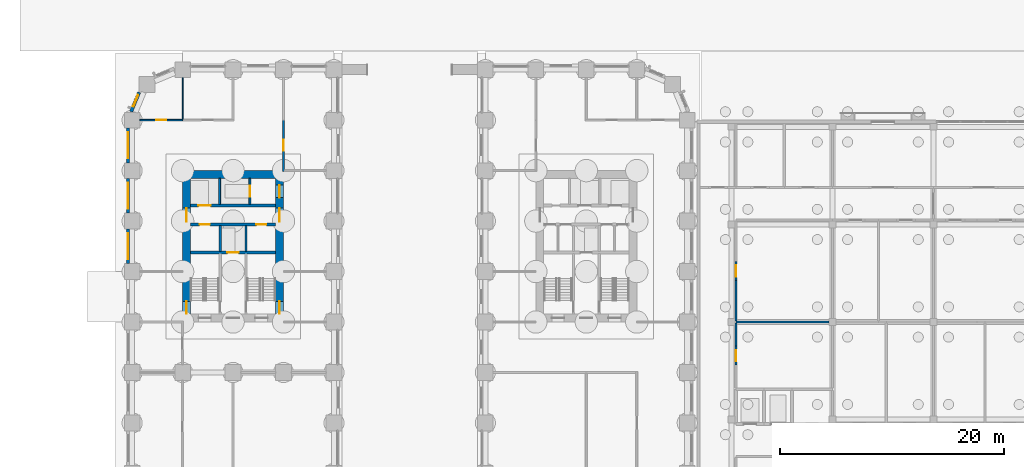
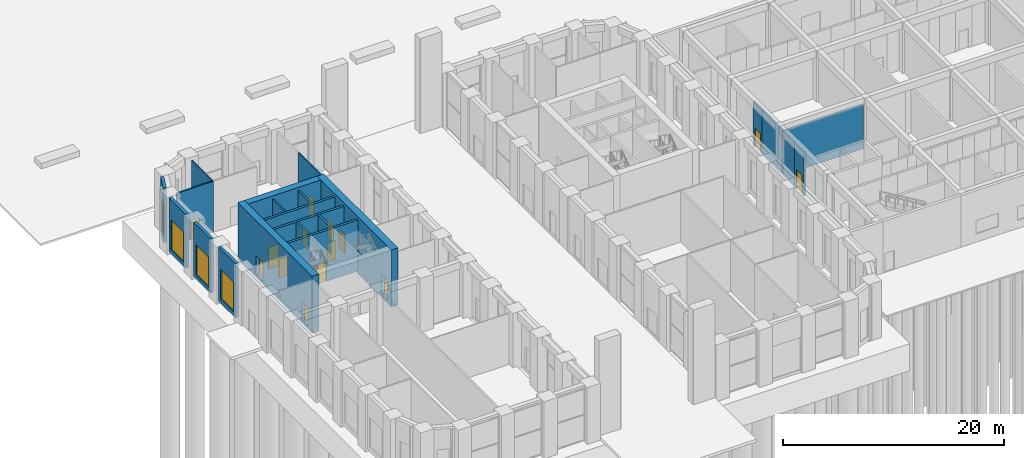
# One storey, part 17 of 31: 22 walls, 14 doors, 4 windows, 18 openings.
"""IFC4 building model written with IfcOpenShell, lengths in metres."""

import ifcopenshell
import ifcopenshell.guid

model = None  # the IFC model being written
_history = None  # IfcOwnerHistory: only IFC2X3 demands one
_inside = {}  # id of a spatial element -> (the spatial element, [elements in it])
_under = {}  # id of a project, library or spatial element -> (it, [spatial elements below it])
_declared = {}  # id of a project -> (the project, [libraries it declares])
_typed = {}  # id of a type object -> (the type object, [elements of that type])
_made_of = {}  # id of a material, layer set ... -> (it, [elements and type objects made of it])


def new_model(schema):
    """Start an empty IFC model of exactly this schema.

    Asked for "IFC4X3", IfcOpenShell would pick the latest addendum, in which some entities
    have other attributes; the version numbers below select the first issue.
    IFC2X3 requires an IfcOwnerHistory on every rooted entity: one is made here for all.
    """
    global model, _history
    if schema == "IFC4X3":
        model = ifcopenshell.file(schema_version=(4, 3, 0, 0))
    else:
        model = ifcopenshell.file(schema=schema)
    _inside.clear()
    _under.clear()
    _declared.clear()
    _typed.clear()
    _made_of.clear()
    _history = None
    if model.schema == "IFC2X3":
        org = make("IfcOrganization", Name="unknown")
        user = make(
            "IfcPersonAndOrganization",
            ThePerson=make("IfcPerson", FamilyName="unknown"),
            TheOrganization=org,
        )
        app = make(
            "IfcApplication",
            ApplicationDeveloper=org,
            Version="unknown",
            ApplicationFullName="unknown",
            ApplicationIdentifier="unknown",
        )
        _history = make(
            "IfcOwnerHistory",
            OwningUser=user,
            OwningApplication=app,
            ChangeAction="ADDED",
            CreationDate=0,
        )
    return model


def make(cls, **values):
    """One entity of the class cls with the attributes given. An attribute that is None is left unset."""
    return model.create_entity(
        cls, **{name: value for name, value in values.items() if value is not None}
    )


def rooted(cls, **values):
    """An entity with a GlobalId (a new one), such as an element, a storey or a relation."""
    return make(cls, GlobalId=ifcopenshell.guid.new(), OwnerHistory=_history, **values)


def si_unit(unit_type, name, prefix=None):
    """IfcSIUnit, for example si_unit("LENGTHUNIT", "METRE", prefix="MILLI")."""
    return make("IfcSIUnit", UnitType=unit_type, Prefix=prefix, Name=name)


def assignment(units):
    """IfcUnitAssignment: the units of a project."""
    return None if units is None else make("IfcUnitAssignment", Units=units)


def point(xyz):
    """IfcCartesianPoint."""
    return None if xyz is None else make("IfcCartesianPoint", Coordinates=xyz)


def direction(xyz):
    """IfcDirection."""
    return None if xyz is None else make("IfcDirection", DirectionRatios=xyz)


def frame(location, z_axis=None, x_axis=None):
    """IfcAxis2Placement3D, a coordinate frame: its origin and axes. An axis left out is left unset."""
    return make(
        "IfcAxis2Placement3D",
        Location=point(location),
        Axis=direction(z_axis),
        RefDirection=direction(x_axis),
    )


def frame_2d(location, x_axis=None):
    """IfcAxis2Placement2D, a coordinate frame in the plane: its origin and x axis."""
    return make(
        "IfcAxis2Placement2D", Location=point(location), RefDirection=direction(x_axis)
    )


def origin():
    """The frame at (0, 0, 0) with its axes left unset."""
    return frame((0.0, 0.0, 0.0))


def place(relative_to, where):
    """IfcLocalPlacement: puts the frame where relative to a parent placement (None: the world)."""
    return make(
        "IfcLocalPlacement", PlacementRelTo=relative_to, RelativePlacement=where
    )


def context(
    kind, dimensions, precision=None, world=None, true_north=None, identifier=None
):
    """IfcGeometricRepresentationContext, for example the 3D "Model" context."""
    return make(
        "IfcGeometricRepresentationContext",
        ContextIdentifier=identifier,
        ContextType=kind,
        CoordinateSpaceDimension=dimensions,
        Precision=precision,
        WorldCoordinateSystem=world,
        TrueNorth=true_north,
    )


def subcontext(parent, identifier, kind, view, scale=None):
    """IfcGeometricRepresentationSubContext, for example "Body" below "Model"."""
    return make(
        "IfcGeometricRepresentationSubContext",
        ContextIdentifier=identifier,
        ContextType=kind,
        ParentContext=parent,
        TargetScale=scale,
        TargetView=view,
    )


def project(units=None, contexts=None):
    """IfcProject with its units and contexts."""
    return rooted(
        "IfcProject",
        Name="project",
        RepresentationContexts=contexts,
        UnitsInContext=assignment(units),
    )


def spatial(cls, under=None, at=None, **own):
    """A site, building, storey or space (cls), placed at a placement, below another one or the project."""
    s = rooted(cls, ObjectPlacement=at, **own)
    if under is not None:
        _under.setdefault(under.id(), (under, []))[1].append(s)
    return s


def profile(cls, at=None, kind="AREA", **sizes):
    """A parametric profile (cls). Its sizes go by their IFC names, for example OverallWidth=200.0."""
    return make(cls, ProfileType=kind, Position=at, **sizes)


def rectangle(**sizes):
    """IfcRectangleProfileDef."""
    return profile("IfcRectangleProfileDef", **sizes)


def extrude(swept, where, along, depth):
    """IfcExtrudedAreaSolid: the profile swept, set in the frame where, extruded along a direction by depth."""
    return make(
        "IfcExtrudedAreaSolid",
        SweptArea=swept,
        Position=where,
        ExtrudedDirection=direction(along),
        Depth=depth,
    )


def shape(context_of_items, identifier, shape_type, items):
    """IfcShapeRepresentation: the items that make up one representation, for example the "Body"."""
    return make(
        "IfcShapeRepresentation",
        ContextOfItems=context_of_items,
        RepresentationIdentifier=identifier,
        RepresentationType=shape_type,
        Items=items,
    )


def material(Name=None, Category=None):
    """IfcMaterial."""
    return make("IfcMaterial", Name=Name, Category=Category)


def layer(
    of_material, thickness, ventilated=None, Name=None, Category=None, Priority=None
):
    """IfcMaterialLayer: one layer of a wall or slab, of a material (None: an air gap)."""
    return make(
        "IfcMaterialLayer",
        Material=of_material,
        LayerThickness=thickness,
        IsVentilated=ventilated,
        Name=Name,
        Category=Category,
        Priority=Priority,
    )


def layer_set(layers, Name=None):
    """IfcMaterialLayerSet."""
    return make("IfcMaterialLayerSet", MaterialLayers=layers, LayerSetName=Name)


def made_of(thing, what):
    """Note that an element or type object is made of a material, layer set ...; save() writes the relation."""
    if what is not None:
        _made_of.setdefault(what.id(), (what, []))[1].append(thing)
    return thing


def type_object(cls, material=None, **own):
    """A type object (cls), such as IfcWallType, which elements share."""
    return made_of(rooted(cls, **own), material)


def element(
    cls,
    number,
    at=None,
    inside=None,
    cuts=None,
    type_object=None,
    material=None,
    context=None,
    identifier="Body",
    shape_type=None,
    held_by="IfcProductDefinitionShape",
    body=None,
    shapes=None,
    **own,
):
    """One element of the class cls, such as IfcWall. Its Tag is "e" and its number.

    at: its placement. inside: the storey or other place that contains it. cuts: it is an
    opening in that element (IfcRelVoidsElement). A single representation is given by context,
    identifier, shape_type and body (its items); several are given by shapes. held_by: the class
    of the entity that holds the representations. save() writes the other relations.
    """
    e = rooted(cls, Tag="e%d" % number, ObjectPlacement=at, **own)
    if body is not None:
        shapes = [shape(context, identifier, shape_type, body)]
    if shapes is not None:
        e.Representation = make(held_by, Representations=shapes)
    if inside is not None:
        _inside.setdefault(inside.id(), (inside, []))[1].append(e)
    if cuts is not None:
        rooted(
            "IfcRelVoidsElement", RelatingBuildingElement=cuts, RelatedOpeningElement=e
        )
    if type_object is not None:
        _typed.setdefault(type_object.id(), (type_object, []))[1].append(e)
    return made_of(e, material)


def fill(opening, filler):
    """IfcRelFillsElement: the door or window that sits in an opening."""
    return rooted(
        "IfcRelFillsElement",
        RelatingOpeningElement=opening,
        RelatedBuildingElement=filler,
    )


def aggregate(whole, parts):
    """IfcRelAggregates: a whole, such as a stair, and the parts it consists of."""
    return rooted("IfcRelAggregates", RelatingObject=whole, RelatedObjects=parts)


def save(model, path):
    """Write the relations noted so far, then the file.

    IfcRelAggregates (storeys below a building ...), IfcRelContainedInSpatialStructure (elements
    in a storey), IfcRelDefinesByType, IfcRelAssociatesMaterial and IfcRelDeclares: one each for
    every whole, place, type object, material and project.
    """
    for whole, parts in _under.values():
        aggregate(whole, parts)
    for where, things in _inside.values():
        rooted(
            "IfcRelContainedInSpatialStructure",
            RelatedElements=things,
            RelatingStructure=where,
        )
    for kind, things in _typed.values():
        rooted("IfcRelDefinesByType", RelatedObjects=things, RelatingType=kind)
    for what, things in _made_of.values():
        rooted("IfcRelAssociatesMaterial", RelatedObjects=things, RelatingMaterial=what)
    for by, libraries in _declared.values():
        rooted("IfcRelDeclares", RelatingContext=by, RelatedDefinitions=libraries)
    model.write(path)


model = new_model("IFC4")

# Units and contexts
model_context = context("Model", 3, precision=1e-05, world=origin(), true_north=direction((0.0, 1.0)))
body_context = subcontext(model_context, "Body", "Model", "MODEL_VIEW")
ifc_project = project(units=[si_unit("LENGTHUNIT", "METRE"), si_unit("AREAUNIT", "SQUARE_METRE"), si_unit("VOLUMEUNIT", "CUBIC_METRE"), si_unit("PLANEANGLEUNIT", "RADIAN"), si_unit("MASSUNIT", "GRAM", prefix="KILO")], contexts=[model_context])

# Site, building, storey
site_placement = place(None, origin())
site = spatial("IfcSite", under=ifc_project, at=site_placement, CompositionType="ELEMENT")
building_placement = place(site_placement, origin())
building = spatial("IfcBuilding", under=site, at=building_placement, Name="Girih Gate Residences", CompositionType="ELEMENT")
storey_placement = place(building_placement, origin())
storey = spatial("IfcBuildingStorey", under=building, at=storey_placement, Name="L00", CompositionType="ELEMENT", Elevation=0.0)

# Wall, opening, door
ifc_material_1 = material(Name="Gypsum board on steel studs", Category="steel")
ifc_layer_1 = layer(ifc_material_1, 0.14990234375)
ifc_layer_set_1 = layer_set([ifc_layer_1], Name="Compartment wall 150 mm")
wall_type_1 = type_object("IfcWallType", Name="Compartment wall 150 mm", PredefinedType="PARTITIONING", material=ifc_layer_set_1)
wall_1_placement = place(storey_placement, frame((13.5, 45.0, 0.0), z_axis=(0.0, 0.0, 1.0), x_axis=(0.0, -1.0, 0.0)))
wall_1 = element("IfcWall", 1, at=wall_1_placement, inside=storey, type_object=wall_type_1, Name="L00 partition", PredefinedType="PARTITIONING", context=body_context, shape_type="SweptSolid", body=[
    extrude(rectangle(XDim=4.574951171875, YDim=0.14990234375, at=frame_2d((2.28759765625, 0.0))), origin(), (0.0, 0.0, 1.0), 5.64990234375),
])
opening_1_placement = place(wall_1_placement, frame((1.75, 0.0, 0.0)))
opening_1 = element("IfcOpeningElement", 2, at=opening_1_placement, cuts=wall_1, Name="Opening D-L00-S-008", PredefinedType="OPENING", context=body_context, shape_type="SweptSolid", body=[
    extrude(rectangle(XDim=1.0, YDim=2.10009765625, at=frame_2d((0.5, 1.050048828125))), frame((0.0, 0.0849609375, 0.0), z_axis=(0.0, -1.0, 0.0), x_axis=(1.0, 0.0, 0.0)), (0.0, 0.0, 1.0), 0.169921875),
])
ifc_material_2 = material(Name="Timber, fire-rated core", Category="wood")
door_type_1 = type_object("IfcDoorType", Name="Amenity door 1000x2100 FD30S", OperationType="SINGLE_SWING_LEFT", PredefinedType="DOOR", material=ifc_material_2)
door_1_placement = place(opening_1_placement, origin())
door_1 = element("IfcDoor", 3, at=door_1_placement, inside=storey, type_object=door_type_1, Name="Door L00-008", OperationType="SINGLE_SWING_LEFT", OverallHeight=2.10009765625, OverallWidth=1.0, PredefinedType="DOOR", context=body_context, shape_type="SweptSolid", body=[
    extrude(rectangle(XDim=1.0, YDim=2.10009765625, at=frame_2d((0.5, 1.050048828125))), frame((0.0, 0.02490234375, 0.0), z_axis=(0.0, -1.0, 0.0), x_axis=(1.0, 0.0, 0.0)), (0.0, 0.0, 1.0), 0.050048828125),
])
fill(opening_1, door_1)

wall_2_placement = place(storey_placement, frame((0.699951171875, 45.0, 0.0), z_axis=(0.0, 0.0, 1.0), x_axis=(1.0, 0.0, 0.0)))
wall_2 = element("IfcWall", 4, at=wall_2_placement, inside=storey, type_object=wall_type_1, Name="L00 partition", PredefinedType="PARTITIONING", context=body_context, shape_type="SweptSolid", body=[
    extrude(rectangle(XDim=3.800048828125, YDim=0.14990234375, at=frame_2d((1.89990234375, 0.0))), origin(), (0.0, 0.0, 1.0), 5.64990234375),
])
opening_2_placement = place(wall_2_placement, frame((1.449951171875, 0.0, 0.0)))
opening_2 = element("IfcOpeningElement", 5, at=opening_2_placement, cuts=wall_2, Name="Opening D-L00-S-010", PredefinedType="OPENING", context=body_context, shape_type="SweptSolid", body=[
    extrude(rectangle(XDim=0.89990234375, YDim=2.10009765625, at=frame_2d((0.449951171875, 1.050048828125))), frame((0.0, 0.0849609375, 0.0), z_axis=(0.0, -1.0, 0.0), x_axis=(1.0, 0.0, 0.0)), (0.0, 0.0, 1.0), 0.169921875),
])
ifc_material_3 = material(Name="Timber", Category="wood")
door_type_2 = type_object("IfcDoorType", Name="Room door 900x2100", OperationType="SINGLE_SWING_LEFT", PredefinedType="DOOR", material=ifc_material_3)
door_2_placement = place(opening_2_placement, origin())
door_2 = element("IfcDoor", 6, at=door_2_placement, inside=storey, type_object=door_type_2, Name="Door L00-010", OperationType="SINGLE_SWING_RIGHT", OverallHeight=2.10009765625, OverallWidth=0.89990234375, PredefinedType="DOOR", context=body_context, shape_type="SweptSolid", body=[
    extrude(rectangle(XDim=0.89990234375, YDim=2.10009765625, at=frame_2d((0.449951171875, 1.050048828125))), frame((0.0, 0.02490234375, 0.0), z_axis=(0.0, -1.0, 0.0), x_axis=(1.0, 0.0, 0.0)), (0.0, 0.0, 1.0), 0.050048828125),
])
fill(opening_2, door_2)

# Wall
ifc_material_4 = material(Name="Concrete C60/75", Category="concrete")
ifc_layer_2 = layer(ifc_material_4, 0.699951171875)
ifc_layer_set_2 = layer_set([ifc_layer_2], Name="Core wall RC 700 Concrete C60/75")
wall_type_2 = type_object("IfcWallType", Name="Core wall RC 700 Concrete C60/75", PredefinedType="SOLIDWALL", material=ifc_layer_set_2)
wall_3_placement = place(storey_placement, frame((5.199951171875, 40.14990234375, -0.300048828125), z_axis=(0.0, 0.0, 1.0), x_axis=(1.0, 0.0, 0.0)))
element("IfcWall", 7, at=wall_3_placement, inside=storey, type_object=wall_type_2, Name="Core wall W-N L00", PredefinedType="SOLIDWALL", context=body_context, shape_type="SweptSolid", body=[
    extrude(rectangle(XDim=7.60009765625, YDim=0.699951171875, at=frame_2d((3.800048828125, 0.0))), origin(), (0.0, 0.0, 1.0), 6.300048828125),
])

# Wall, openings, doors
wall_4_placement = place(storey_placement, frame((4.85009765625, 27.0, -0.300048828125), z_axis=(0.0, 0.0, 1.0), x_axis=(0.0, 1.0, 0.0)))
wall_4 = element("IfcWall", 8, at=wall_4_placement, inside=storey, type_object=wall_type_2, Name="Core wall W-W L00", PredefinedType="SOLIDWALL", context=body_context, shape_type="SweptSolid", body=[
    extrude(rectangle(XDim=13.5, YDim=0.699951171875, at=frame_2d((6.75, 0.0))), origin(), (0.0, 0.0, 1.0), 6.300048828125),
])
opening_3_placement = place(wall_4_placement, frame((0.75, 0.0, 0.300048828125)))
opening_3 = element("IfcOpeningElement", 9, at=opening_3_placement, cuts=wall_4, Name="Opening D-L00-W-011", PredefinedType="OPENING", context=body_context, shape_type="SweptSolid", body=[
    extrude(rectangle(XDim=1.10009765625, YDim=2.10009765625, at=frame_2d((0.550048828125, 1.050048828125))), frame((0.0, 0.35986328125, 0.0), z_axis=(0.0, -1.0, 0.0), x_axis=(1.0, 0.0, 0.0)), (0.0, 0.0, 1.0), 0.719970703125),
])
opening_4_placement = place(wall_4_placement, frame((8.949951171875, 0.0, 0.300048828125)))
opening_4 = element("IfcOpeningElement", 10, at=opening_4_placement, cuts=wall_4, Name="Opening D-L00-W-014", PredefinedType="OPENING", context=body_context, shape_type="SweptSolid", body=[
    extrude(rectangle(XDim=1.199951171875, YDim=2.10009765625, at=frame_2d((0.60009765625, 1.050048828125))), frame((0.0, 0.35986328125, 0.0), z_axis=(0.0, -1.0, 0.0), x_axis=(1.0, 0.0, 0.0)), (0.0, 0.0, 1.0), 0.719970703125),
])
ifc_material_5 = material(Name="Painted steel, fire-resisting", Category="steel")
door_type_3 = type_object("IfcDoorType", Name="Fire door 1100x2100 raised threshold", OperationType="SINGLE_SWING_LEFT", PredefinedType="DOOR", material=ifc_material_5)
door_3_placement = place(opening_3_placement, origin())
door_3 = element("IfcDoor", 11, at=door_3_placement, inside=storey, type_object=door_type_3, Name="L00 W core door sta-w", OperationType="SINGLE_SWING_LEFT", OverallHeight=2.10009765625, OverallWidth=1.10009765625, PredefinedType="DOOR", context=body_context, shape_type="SweptSolid", body=[
    extrude(rectangle(XDim=1.10009765625, YDim=2.10009765625, at=frame_2d((0.550048828125, 1.050048828125))), frame((0.0, 0.02490234375, 0.0), z_axis=(0.0, -1.0, 0.0), x_axis=(1.0, 0.0, 0.0)), (0.0, 0.0, 1.0), 0.050048828125),
])
fill(opening_3, door_3)
door_type_4 = type_object("IfcDoorType", Name="Fire door 1200x2100 raised threshold", OperationType="SINGLE_SWING_LEFT", PredefinedType="DOOR", material=ifc_material_5)
door_4_placement = place(opening_4_placement, origin())
door_4 = element("IfcDoor", 12, at=door_4_placement, inside=storey, type_object=door_type_4, Name="L00 W core door ll-w", OperationType="SINGLE_SWING_LEFT", OverallHeight=2.10009765625, OverallWidth=1.199951171875, PredefinedType="DOOR", context=body_context, shape_type="SweptSolid", body=[
    extrude(rectangle(XDim=1.199951171875, YDim=2.10009765625, at=frame_2d((0.60009765625, 1.050048828125))), frame((0.0, 0.02490234375, 0.0), z_axis=(0.0, -1.0, 0.0), x_axis=(1.0, 0.0, 0.0)), (0.0, 0.0, 1.0), 0.050048828125),
])
fill(opening_4, door_4)

wall_5_placement = place(storey_placement, frame((13.14990234375, 27.0, -0.300048828125), z_axis=(0.0, 0.0, 1.0), x_axis=(0.0, 1.0, 0.0)))
wall_5 = element("IfcWall", 13, at=wall_5_placement, inside=storey, type_object=wall_type_2, Name="Core wall W-E L00", PredefinedType="SOLIDWALL", context=body_context, shape_type="SweptSolid", body=[
    extrude(rectangle(XDim=13.5, YDim=0.699951171875, at=frame_2d((6.75, 0.0))), origin(), (0.0, 0.0, 1.0), 6.300048828125),
])
opening_5_placement = place(wall_5_placement, frame((0.75, 0.0, 0.300048828125)))
opening_5 = element("IfcOpeningElement", 14, at=opening_5_placement, cuts=wall_5, Name="Opening D-L00-W-012", PredefinedType="OPENING", context=body_context, shape_type="SweptSolid", body=[
    extrude(rectangle(XDim=1.10009765625, YDim=2.10009765625, at=frame_2d((0.550048828125, 1.050048828125))), frame((0.0, 0.35986328125, 0.0), z_axis=(0.0, -1.0, 0.0), x_axis=(1.0, 0.0, 0.0)), (0.0, 0.0, 1.0), 0.719970703125),
])
opening_6_placement = place(wall_5_placement, frame((11.10009765625, 0.0, 0.300048828125)))
opening_6 = element("IfcOpeningElement", 15, at=opening_6_placement, cuts=wall_5, Name="Opening D-L00-W-013", PredefinedType="OPENING", context=body_context, shape_type="SweptSolid", body=[
    extrude(rectangle(XDim=1.10009765625, YDim=2.10009765625, at=frame_2d((0.550048828125, 1.050048828125))), frame((0.0, 0.35986328125, 0.0), z_axis=(0.0, -1.0, 0.0), x_axis=(1.0, 0.0, 0.0)), (0.0, 0.0, 1.0), 0.719970703125),
])
opening_7_placement = place(wall_5_placement, frame((8.949951171875, 0.0, 0.300048828125)))
opening_7 = element("IfcOpeningElement", 16, at=opening_7_placement, cuts=wall_5, Name="Opening D-L00-W-015", PredefinedType="OPENING", context=body_context, shape_type="SweptSolid", body=[
    extrude(rectangle(XDim=1.199951171875, YDim=2.10009765625, at=frame_2d((0.60009765625, 1.050048828125))), frame((0.0, 0.35986328125, 0.0), z_axis=(0.0, -1.0, 0.0), x_axis=(1.0, 0.0, 0.0)), (0.0, 0.0, 1.0), 0.719970703125),
])
door_5_placement = place(opening_5_placement, origin())
door_5 = element("IfcDoor", 17, at=door_5_placement, inside=storey, type_object=door_type_3, Name="L00 W core door stb-e", OperationType="SINGLE_SWING_LEFT", OverallHeight=2.10009765625, OverallWidth=1.10009765625, PredefinedType="DOOR", context=body_context, shape_type="SweptSolid", body=[
    extrude(rectangle(XDim=1.10009765625, YDim=2.10009765625, at=frame_2d((0.550048828125, 1.050048828125))), frame((0.0, 0.02490234375, 0.0), z_axis=(0.0, -1.0, 0.0), x_axis=(1.0, 0.0, 0.0)), (0.0, 0.0, 1.0), 0.050048828125),
])
fill(opening_5, door_5)
door_6_placement = place(opening_6_placement, origin())
door_6 = element("IfcDoor", 18, at=door_6_placement, inside=storey, type_object=door_type_3, Name="L00 W core door ffl2-e", OperationType="SINGLE_SWING_LEFT", OverallHeight=2.10009765625, OverallWidth=1.10009765625, PredefinedType="DOOR", context=body_context, shape_type="SweptSolid", body=[
    extrude(rectangle(XDim=1.10009765625, YDim=2.10009765625, at=frame_2d((0.550048828125, 1.050048828125))), frame((0.0, 0.02490234375, 0.0), z_axis=(0.0, -1.0, 0.0), x_axis=(1.0, 0.0, 0.0)), (0.0, 0.0, 1.0), 0.050048828125),
])
fill(opening_6, door_6)
door_7_placement = place(opening_7_placement, origin())
door_7 = element("IfcDoor", 19, at=door_7_placement, inside=storey, type_object=door_type_4, Name="L00 W core door ll-e", OperationType="SINGLE_SWING_LEFT", OverallHeight=2.10009765625, OverallWidth=1.199951171875, PredefinedType="DOOR", context=body_context, shape_type="SweptSolid", body=[
    extrude(rectangle(XDim=1.199951171875, YDim=2.10009765625, at=frame_2d((0.60009765625, 1.050048828125))), frame((0.0, 0.02490234375, 0.0), z_axis=(0.0, -1.0, 0.0), x_axis=(1.0, 0.0, 0.0)), (0.0, 0.0, 1.0), 0.050048828125),
])
fill(opening_7, door_7)

# Wall, opening, door
ifc_material_6 = material(Name="Fire-rated gypsum partition")
ifc_layer_3 = layer(ifc_material_6, 0.199951171875)
ifc_layer_set_3 = layer_set([ifc_layer_3], Name="HC Corridor wall 200 EI 60")
wall_type_3 = type_object("IfcWallType", Name="HC Corridor wall 200 EI 60", PredefinedType="PARTITIONING", material=ifc_layer_set_3)
wall_6_placement = place(storey_placement, frame((53.85009765625, 24.85009765625, 0.0), z_axis=(0.0, 0.0, 1.0), x_axis=(0.0, -1.0, 0.0)))
wall_6 = element("IfcWall", 20, at=wall_6_placement, inside=storey, type_object=wall_type_3, Name="L00 wall y53.85/23.1", PredefinedType="PARTITIONING", context=body_context, shape_type="SweptSolid", body=[
    extrude(rectangle(XDim=1.7001953125, YDim=0.199951171875, at=frame_2d((0.85009765625, 0.0))), origin(), (0.0, 0.0, 1.0), 4.89990234375),
])
opening_8_placement = place(wall_6_placement, frame((0.35009765625, 0.0, 0.0)))
opening_8 = element("IfcOpeningElement", 21, at=opening_8_placement, cuts=wall_6, Name="Opening HC-L00-D17", PredefinedType="OPENING", context=body_context, shape_type="SweptSolid", body=[
    extrude(rectangle(XDim=1.0, YDim=2.10009765625, at=frame_2d((0.5, 1.050048828125))), frame((0.0, 0.10986328125, 0.0), z_axis=(0.0, -1.0, 0.0), x_axis=(1.0, 0.0, 0.0)), (0.0, 0.0, 1.0), 0.219970703125),
])
ifc_material_7 = material(Name="Timber door set", Category="wood")
door_type_5 = type_object("IfcDoorType", Name="HC Door 1000x2100 FD30S", OperationType="NOTDEFINED", PredefinedType="DOOR", material=ifc_material_7)
door_8_placement = place(opening_8_placement, origin())
door_8 = element("IfcDoor", 22, at=door_8_placement, inside=storey, type_object=door_type_5, Name="L00 Pharmacy dispensary door", OperationType="SINGLE_SWING_RIGHT", OverallHeight=2.10009765625, OverallWidth=1.0, PredefinedType="DOOR", context=body_context, shape_type="SweptSolid", body=[
    extrude(rectangle(XDim=1.0, YDim=2.10009765625, at=frame_2d((0.5, 1.050048828125))), frame((0.0, 0.02490234375, 0.0), z_axis=(0.0, -1.0, 0.0), x_axis=(1.0, 0.0, 0.0)), (0.0, 0.0, 1.0), 0.050048828125),
])
fill(opening_8, door_8)

# Walls
wall_7_placement = place(storey_placement, frame((53.85009765625, 24.85009765625, 0.0), z_axis=(0.0, 0.0, 1.0), x_axis=(0.0, 1.0, 0.0)))
element("IfcWall", 23, at=wall_7_placement, inside=storey, type_object=wall_type_3, Name="L00 wall y53.85/24.9", PredefinedType="PARTITIONING", context=body_context, shape_type="SweptSolid", body=[
    extrude(rectangle(XDim=2.0498046875, YDim=0.199951171875, at=frame_2d((1.02490234375, 0.0))), origin(), (0.0, 0.0, 1.0), 4.89990234375),
])
wall_8_placement = place(storey_placement, frame((53.85009765625, 27.10009765625, 0.0), z_axis=(0.0, 0.0, 1.0), x_axis=(0.0, 1.0, 0.0)))
element("IfcWall", 24, at=wall_8_placement, inside=storey, type_object=wall_type_3, Name="L00 wall y53.85/27.1", PredefinedType="PARTITIONING", context=body_context, shape_type="SweptSolid", body=[
    extrude(rectangle(XDim=3.599853515625, YDim=0.199951171875, at=frame_2d((1.7998046875, 0.0))), origin(), (0.0, 0.0, 1.0), 4.89990234375),
])

# Wall, opening, door
wall_9_placement = place(storey_placement, frame((53.85009765625, 32.39990234375, 0.0), z_axis=(0.0, 0.0, 1.0), x_axis=(0.0, -1.0, 0.0)))
wall_9 = element("IfcWall", 25, at=wall_9_placement, inside=storey, type_object=wall_type_3, Name="L00 wall y53.85/30.7", PredefinedType="PARTITIONING", context=body_context, shape_type="SweptSolid", body=[
    extrude(rectangle(XDim=1.699951171875, YDim=0.199951171875, at=frame_2d((0.85009765625, 0.0))), origin(), (0.0, 0.0, 1.0), 4.89990234375),
])
opening_9_placement = place(wall_9_placement, frame((0.35009765625, 0.0, 0.0)))
opening_9 = element("IfcOpeningElement", 26, at=opening_9_placement, cuts=wall_9, Name="Opening HC-L00-D23", PredefinedType="OPENING", context=body_context, shape_type="SweptSolid", body=[
    extrude(rectangle(XDim=1.0, YDim=2.10009765625, at=frame_2d((0.5, 1.050048828125))), frame((0.0, 0.10986328125, 0.0), z_axis=(0.0, -1.0, 0.0), x_axis=(1.0, 0.0, 0.0)), (0.0, 0.0, 1.0), 0.219970703125),
])
door_9_placement = place(opening_9_placement, origin())
door_9 = element("IfcDoor", 27, at=door_9_placement, inside=storey, type_object=door_type_5, Name="L00 Pharmacy stock room door", OperationType="SINGLE_SWING_RIGHT", OverallHeight=2.10009765625, OverallWidth=1.0, PredefinedType="DOOR", context=body_context, shape_type="SweptSolid", body=[
    extrude(rectangle(XDim=1.0, YDim=2.10009765625, at=frame_2d((0.5, 1.050048828125))), frame((0.0, 0.02490234375, 0.0), z_axis=(0.0, -1.0, 0.0), x_axis=(1.0, 0.0, 0.0)), (0.0, 0.0, 1.0), 0.050048828125),
])
fill(opening_9, door_9)

# Wall
ifc_material_8 = material(Name="Gypsum partition")
ifc_layer_4 = layer(ifc_material_8, 0.199951171875)
ifc_layer_set_4 = layer_set([ifc_layer_4], Name="HC Room partition 200 EI 30")
wall_type_4 = type_object("IfcWallType", Name="HC Room partition 200 EI 30", PredefinedType="PARTITIONING", material=ifc_layer_set_4)
wall_10_placement = place(storey_placement, frame((53.85009765625, 27.0, 0.0), z_axis=(0.0, 0.0, 1.0), x_axis=(1.0, 0.0, 0.0)))
element("IfcWall", 28, at=wall_10_placement, inside=storey, type_object=wall_type_4, Name="L00 wall x27.00/53.9", PredefinedType="PARTITIONING", context=body_context, shape_type="SweptSolid", body=[
    extrude(rectangle(XDim=8.2998046875, YDim=0.199951171875, at=frame_2d((4.14990234375, 0.0))), origin(), (0.0, 0.0, 1.0), 4.89990234375),
])

# Wall, opening, door
ifc_material_9 = material(Name="Concrete C40/50", Category="concrete")
ifc_layer_5 = layer(ifc_material_9, 0.25)
ifc_layer_set_5 = layer_set([ifc_layer_5], Name="Lift shaft wall 250")
wall_type_5 = type_object("IfcWallType", Name="Lift shaft wall 250", PredefinedType="SOLIDWALL", material=ifc_layer_set_5)
wall_11_placement = place(storey_placement, frame((5.199951171875, 33.199951171875, 0.0), z_axis=(0.0, 0.0, 1.0), x_axis=(1.0, 0.0, 0.0)))
wall_11 = element("IfcWall", 29, at=wall_11_placement, inside=storey, type_object=wall_type_5, Name="L00 W core wall H1", PredefinedType="SOLIDWALL", context=body_context, shape_type="SweptSolid", body=[
    extrude(rectangle(XDim=7.60009765625, YDim=0.25, at=frame_2d((3.800048828125, 0.0))), origin(), (0.0, 0.0, 1.0), 5.64990234375),
])
opening_10_placement = place(wall_11_placement, frame((3.300048828125, 0.0, 0.0)))
opening_10 = element("IfcOpeningElement", 30, at=opening_10_placement, cuts=wall_11, Name="Opening D-L00-W-005", PredefinedType="OPENING", context=body_context, shape_type="SweptSolid", body=[
    extrude(rectangle(XDim=1.0, YDim=2.10009765625, at=frame_2d((0.5, 1.050048828125))), frame((0.0, 0.135009765625, 0.0), z_axis=(0.0, -1.0, 0.0), x_axis=(1.0, 0.0, 0.0)), (0.0, 0.0, 1.0), 0.27001953125),
])
ifc_material_10 = material(Name="Stainless steel, fire-resisting", Category="steel")
door_type_6 = type_object("IfcDoorType", Name="Firefighting lift landing door 1000x2100", OperationType="SLIDING_TO_LEFT", PredefinedType="DOOR", material=ifc_material_10)
door_10_placement = place(opening_10_placement, origin())
door_10 = element("IfcDoor", 31, at=door_10_placement, inside=storey, type_object=door_type_6, Name="L00 lift FF-W landing door", OperationType="SLIDING_TO_LEFT", OverallHeight=2.10009765625, OverallWidth=1.0, PredefinedType="DOOR", context=body_context, shape_type="SweptSolid", body=[
    extrude(rectangle(XDim=1.0, YDim=2.10009765625, at=frame_2d((0.5, 1.050048828125))), frame((0.0, 0.02490234375, 0.0), z_axis=(0.0, -1.0, 0.0), x_axis=(1.0, 0.0, 0.0)), (0.0, 0.0, 1.0), 0.050048828125),
])
fill(opening_10, door_10)

# Wall, openings, doors
wall_12_placement = place(storey_placement, frame((5.199951171875, 35.699951171875, 0.0), z_axis=(0.0, 0.0, 1.0), x_axis=(1.0, 0.0, 0.0)))
wall_12 = element("IfcWall", 32, at=wall_12_placement, inside=storey, type_object=wall_type_5, Name="L00 W core wall H2", PredefinedType="SOLIDWALL", context=body_context, shape_type="SweptSolid", body=[
    extrude(rectangle(XDim=7.60009765625, YDim=0.25, at=frame_2d((3.800048828125, 0.0))), origin(), (0.0, 0.0, 1.0), 5.64990234375),
])
opening_11_placement = place(wall_12_placement, frame((0.824951171875, 0.0, 0.0)))
opening_11 = element("IfcOpeningElement", 33, at=opening_11_placement, cuts=wall_12, Name="Opening D-L00-W-006", PredefinedType="OPENING", context=body_context, shape_type="SweptSolid", body=[
    extrude(rectangle(XDim=0.89990234375, YDim=2.10009765625, at=frame_2d((0.449951171875, 1.050048828125))), frame((0.0, 0.135009765625, 0.0), z_axis=(0.0, -1.0, 0.0), x_axis=(1.0, 0.0, 0.0)), (0.0, 0.0, 1.0), 0.27001953125),
])
opening_12_placement = place(wall_12_placement, frame((5.875, 0.0, 0.0)))
opening_12 = element("IfcOpeningElement", 34, at=opening_12_placement, cuts=wall_12, Name="Opening D-L00-W-007", PredefinedType="OPENING", context=body_context, shape_type="SweptSolid", body=[
    extrude(rectangle(XDim=0.89990234375, YDim=2.10009765625, at=frame_2d((0.449951171875, 1.050048828125))), frame((0.0, 0.135009765625, 0.0), z_axis=(0.0, -1.0, 0.0), x_axis=(1.0, 0.0, 0.0)), (0.0, 0.0, 1.0), 0.27001953125),
])
door_type_7 = type_object("IfcDoorType", Name="Fire door 900x2100", OperationType="SINGLE_SWING_LEFT", PredefinedType="DOOR", material=ifc_material_5)
door_11_placement = place(opening_11_placement, origin())
door_11 = element("IfcDoor", 35, at=door_11_placement, inside=storey, type_object=door_type_7, Name="L00 W store door", OperationType="SINGLE_SWING_LEFT", OverallHeight=2.10009765625, OverallWidth=0.89990234375, PredefinedType="DOOR", context=body_context, shape_type="SweptSolid", body=[
    extrude(rectangle(XDim=0.89990234375, YDim=2.10009765625, at=frame_2d((0.449951171875, 1.050048828125))), frame((0.0, 0.02490234375, 0.0), z_axis=(0.0, -1.0, 0.0), x_axis=(1.0, 0.0, 0.0)), (0.0, 0.0, 1.0), 0.050048828125),
])
fill(opening_11, door_11)
door_12_placement = place(opening_12_placement, origin())
door_12 = element("IfcDoor", 36, at=door_12_placement, inside=storey, type_object=door_type_7, Name="L00 W refuse store door", OperationType="SINGLE_SWING_LEFT", OverallHeight=2.10009765625, OverallWidth=0.89990234375, PredefinedType="DOOR", context=body_context, shape_type="SweptSolid", body=[
    extrude(rectangle(XDim=0.89990234375, YDim=2.10009765625, at=frame_2d((0.449951171875, 1.050048828125))), frame((0.0, 0.02490234375, 0.0), z_axis=(0.0, -1.0, 0.0), x_axis=(1.0, 0.0, 0.0)), (0.0, 0.0, 1.0), 0.050048828125),
])
fill(opening_12, door_12)

# Wall, opening, door
wall_13_placement = place(storey_placement, frame((5.199951171875, 37.39990234375, 0.0), z_axis=(0.0, 0.0, 1.0), x_axis=(1.0, 0.0, 0.0)))
wall_13 = element("IfcWall", 37, at=wall_13_placement, inside=storey, type_object=wall_type_5, Name="L00 W core wall H3", PredefinedType="SOLIDWALL", context=body_context, shape_type="SweptSolid", body=[
    extrude(rectangle(XDim=7.60009765625, YDim=0.25, at=frame_2d((3.800048828125, 0.0))), origin(), (0.0, 0.0, 1.0), 5.64990234375),
])
opening_13_placement = place(wall_13_placement, frame((0.699951171875, 0.0, 0.0)))
opening_13 = element("IfcOpeningElement", 38, at=opening_13_placement, cuts=wall_13, Name="Opening D-L00-W-003", PredefinedType="OPENING", context=body_context, shape_type="SweptSolid", body=[
    extrude(rectangle(XDim=1.10009765625, YDim=2.39990234375, at=frame_2d((0.550048828125, 1.199951171875))), frame((0.0, 0.135009765625, 0.0), z_axis=(0.0, -1.0, 0.0), x_axis=(1.0, 0.0, 0.0)), (0.0, 0.0, 1.0), 0.27001953125),
])
ifc_material_11 = material(Name="Stainless steel", Category="steel")
door_type_8 = type_object("IfcDoorType", Name="Lift landing door 1100x2400", OperationType="SLIDING_TO_LEFT", PredefinedType="DOOR", material=ifc_material_11)
door_13_placement = place(opening_13_placement, origin())
door_13 = element("IfcDoor", 39, at=door_13_placement, inside=storey, type_object=door_type_8, Name="L00 lift LR-W1 landing door", OperationType="SLIDING_TO_LEFT", OverallHeight=2.39990234375, OverallWidth=1.10009765625, PredefinedType="DOOR", context=body_context, shape_type="SweptSolid", body=[
    extrude(rectangle(XDim=1.10009765625, YDim=2.39990234375, at=frame_2d((0.550048828125, 1.199951171875))), frame((0.0, 0.02490234375, 0.0), z_axis=(0.0, -1.0, 0.0), x_axis=(1.0, 0.0, 0.0)), (0.0, 0.0, 1.0), 0.050048828125),
])
fill(opening_13, door_13)

# Wall
ifc_layer_6 = layer(ifc_material_1, 0.10009765625)
ifc_layer_set_6 = layer_set([ifc_layer_6], Name="Partition 100 mm")
wall_type_6 = type_object("IfcWallType", Name="Partition 100 mm", PredefinedType="PARTITIONING", material=ifc_layer_set_6)
wall_14_placement = place(storey_placement, frame((4.5, 45.074951171875, 0.0), z_axis=(0.0, 0.0, 1.0), x_axis=(0.0, 1.0, 0.0)))
element("IfcWall", 40, at=wall_14_placement, inside=storey, type_object=wall_type_6, Name="L00 partition", PredefinedType="PARTITIONING", context=body_context, shape_type="SweptSolid", body=[
    extrude(rectangle(XDim=3.72509765625, YDim=0.10009765625, at=frame_2d((1.862548828125, 0.0))), origin(), (0.0, 0.0, 1.0), 5.64990234375),
])

# Wall, opening, window
ifc_material_12 = material(Name="Precast concrete C50/60", Category="concrete")
ifc_layer_7 = layer(ifc_material_12, 0.080078125, Name="Outer leaf")
ifc_material_13 = material(Name="Rigid PIR insulation")
ifc_layer_8 = layer(ifc_material_13, 0.14990234375, Name="Insulation")
ifc_material_14 = material(Name="Precast concrete C40/50", Category="concrete")
ifc_layer_9 = layer(ifc_material_14, 0.070068359375, Name="Inner leaf")
ifc_layer_set_7 = layer_set([ifc_layer_7, ifc_layer_8, ifc_layer_9], Name="Precast concrete C50/60 external wall 300")
wall_type_7 = type_object("IfcWallType", Name="Precast concrete C50/60 external wall 300", PredefinedType="SOLIDWALL", material=ifc_layer_set_7)
wall_15_placement = place(storey_placement, frame((-0.09228515625, 45.75732421875, 0.0), z_axis=(0.0, 0.0, 1.0), x_axis=(0.382737135771, 0.923857286003, 0.0)))
wall_15 = element("IfcWall", 41, at=wall_15_placement, inside=storey, type_object=wall_type_7, Name="External wall NW0013_0482.0", PredefinedType="SOLIDWALL", context=body_context, shape_type="SweptSolid", body=[
    extrude(rectangle(XDim=1.865234375, YDim=0.300048828125, at=frame_2d((0.9326171875, 0.0))), origin(), (0.0, 0.0, 1.0), 6.0),
])
opening_14_placement = place(wall_15_placement, frame((0.507568359375, 0.0, 0.449951171875)))
opening_14 = element("IfcOpeningElement", 42, at=opening_14_placement, cuts=wall_15, Name="Opening W-2A", PredefinedType="OPENING", context=body_context, shape_type="SweptSolid", body=[
    extrude(rectangle(XDim=1.10009765625, YDim=3.300048828125, at=frame_2d((0.550048828125, 1.64990234375))), frame((0.0, 0.159912109375, 0.0), z_axis=(0.0, -1.0, 0.0), x_axis=(1.0, 0.0, 0.0)), (0.0, 0.0, 1.0), 0.320068359375),
])
ifc_material_15 = material(Name="Double glazing in aluminium frame", Category="aluminium")
window_type_1 = type_object("IfcWindowType", Name="Window W-2A 1100x3300", PartitioningType="SINGLE_PANEL", PredefinedType="WINDOW", material=ifc_material_15)
window_1_placement = place(opening_14_placement, origin())
window_1 = element("IfcWindow", 43, at=window_1_placement, inside=storey, type_object=window_type_1, Name="Window W-2A NW0013_0482.0", OverallHeight=3.300048828125, OverallWidth=1.10009765625, PartitioningType="SINGLE_PANEL", PredefinedType="WINDOW", context=body_context, shape_type="SweptSolid", body=[
    extrude(rectangle(XDim=1.10009765625, YDim=3.300048828125, at=frame_2d((0.550048828125, 1.64990234375))), frame((0.0, 0.030029296875, 0.0), z_axis=(0.0, -1.0, 0.0), x_axis=(1.0, 0.0, 0.0)), (0.0, 0.0, 1.0), 0.06005859375),
])
fill(opening_14, window_1)

wall_16_placement = place(storey_placement, frame((-0.375, 41.199951171875, 0.0), z_axis=(0.0, 0.0, 1.0), x_axis=(0.0, 1.0, 0.0)))
wall_16 = element("IfcWall", 44, at=wall_16_placement, inside=storey, type_object=wall_type_7, Name="External wall W0000_0450.0", PredefinedType="SOLIDWALL", context=body_context, shape_type="SweptSolid", body=[
    extrude(rectangle(XDim=3.10009765625, YDim=0.300048828125, at=frame_2d((1.550048828125, 0.0))), origin(), (0.0, 0.0, 1.0), 6.0),
])
opening_15_placement = place(wall_16_placement, frame((0.39990234375, 0.0, 0.449951171875)))
opening_15 = element("IfcOpeningElement", 45, at=opening_15_placement, cuts=wall_16, Name="Opening W-3", PredefinedType="OPENING", context=body_context, shape_type="SweptSolid", body=[
    extrude(rectangle(XDim=2.300048828125, YDim=3.300048828125, at=frame_2d((1.14990234375, 1.64990234375))), frame((0.0, 0.159912109375, 0.0), z_axis=(0.0, -1.0, 0.0), x_axis=(1.0, 0.0, 0.0)), (0.0, 0.0, 1.0), 0.320068359375),
])
window_type_2 = type_object("IfcWindowType", Name="Window W-3 2300x3300", PartitioningType="SINGLE_PANEL", PredefinedType="WINDOW", material=ifc_material_15)
window_2_placement = place(opening_15_placement, origin())
window_2 = element("IfcWindow", 46, at=window_2_placement, inside=storey, type_object=window_type_2, Name="Window W-3 W0000_0450.0", OverallHeight=3.300048828125, OverallWidth=2.300048828125, PartitioningType="SINGLE_PANEL", PredefinedType="WINDOW", context=body_context, shape_type="SweptSolid", body=[
    extrude(rectangle(XDim=2.300048828125, YDim=3.300048828125, at=frame_2d((1.14990234375, 1.64990234375))), frame((0.0, 0.030029296875, 0.0), z_axis=(0.0, -1.0, 0.0), x_axis=(1.0, 0.0, 0.0)), (0.0, 0.0, 1.0), 0.06005859375),
])
fill(opening_15, window_2)

wall_17_placement = place(storey_placement, frame((-0.375, 36.699951171875, 0.0), z_axis=(0.0, 0.0, 1.0), x_axis=(0.0, 1.0, 0.0)))
wall_17 = element("IfcWall", 47, at=wall_17_placement, inside=storey, type_object=wall_type_7, Name="External wall W0000_0450.1", PredefinedType="SOLIDWALL", context=body_context, shape_type="SweptSolid", body=[
    extrude(rectangle(XDim=3.10009765625, YDim=0.300048828125, at=frame_2d((1.550048828125, 0.0))), origin(), (0.0, 0.0, 1.0), 6.0),
])
opening_16_placement = place(wall_17_placement, frame((0.39990234375, 0.0, 0.449951171875)))
opening_16 = element("IfcOpeningElement", 48, at=opening_16_placement, cuts=wall_17, Name="Opening W-3", PredefinedType="OPENING", context=body_context, shape_type="SweptSolid", body=[
    extrude(rectangle(XDim=2.300048828125, YDim=3.300048828125, at=frame_2d((1.14990234375, 1.64990234375))), frame((0.0, 0.159912109375, 0.0), z_axis=(0.0, -1.0, 0.0), x_axis=(1.0, 0.0, 0.0)), (0.0, 0.0, 1.0), 0.320068359375),
])
window_3_placement = place(opening_16_placement, origin())
window_3 = element("IfcWindow", 49, at=window_3_placement, inside=storey, type_object=window_type_2, Name="Window W-3 W0000_0450.1", OverallHeight=3.300048828125, OverallWidth=2.300048828125, PartitioningType="SINGLE_PANEL", PredefinedType="WINDOW", context=body_context, shape_type="SweptSolid", body=[
    extrude(rectangle(XDim=2.300048828125, YDim=3.300048828125, at=frame_2d((1.14990234375, 1.64990234375))), frame((0.0, 0.030029296875, 0.0), z_axis=(0.0, -1.0, 0.0), x_axis=(1.0, 0.0, 0.0)), (0.0, 0.0, 1.0), 0.06005859375),
])
fill(opening_16, window_3)

wall_18_placement = place(storey_placement, frame((-0.375, 32.199951171875, 0.0), z_axis=(0.0, 0.0, 1.0), x_axis=(0.0, 1.0, 0.0)))
wall_18 = element("IfcWall", 50, at=wall_18_placement, inside=storey, type_object=wall_type_7, Name="External wall W0000_0450.2", PredefinedType="SOLIDWALL", context=body_context, shape_type="SweptSolid", body=[
    extrude(rectangle(XDim=3.10009765625, YDim=0.300048828125, at=frame_2d((1.550048828125, 0.0))), origin(), (0.0, 0.0, 1.0), 6.0),
])
opening_17_placement = place(wall_18_placement, frame((0.39990234375, 0.0, 0.449951171875)))
opening_17 = element("IfcOpeningElement", 51, at=opening_17_placement, cuts=wall_18, Name="Opening W-3", PredefinedType="OPENING", context=body_context, shape_type="SweptSolid", body=[
    extrude(rectangle(XDim=2.300048828125, YDim=3.300048828125, at=frame_2d((1.14990234375, 1.64990234375))), frame((0.0, 0.159912109375, 0.0), z_axis=(0.0, -1.0, 0.0), x_axis=(1.0, 0.0, 0.0)), (0.0, 0.0, 1.0), 0.320068359375),
])
window_4_placement = place(opening_17_placement, origin())
window_4 = element("IfcWindow", 52, at=window_4_placement, inside=storey, type_object=window_type_2, Name="Window W-3 W0000_0450.2", OverallHeight=3.300048828125, OverallWidth=2.300048828125, PartitioningType="SINGLE_PANEL", PredefinedType="WINDOW", context=body_context, shape_type="SweptSolid", body=[
    extrude(rectangle(XDim=2.300048828125, YDim=3.300048828125, at=frame_2d((1.14990234375, 1.64990234375))), frame((0.0, 0.030029296875, 0.0), z_axis=(0.0, -1.0, 0.0), x_axis=(1.0, 0.0, 0.0)), (0.0, 0.0, 1.0), 0.06005859375),
])
fill(opening_17, window_4)

# Wall
ifc_layer_10 = layer(ifc_material_9, 0.175048828125)
ifc_layer_set_8 = layer_set([ifc_layer_10], Name="Riser shaft wall 175")
wall_type_8 = type_object("IfcWallType", Name="Riser shaft wall 175", PredefinedType="SOLIDWALL", material=ifc_layer_set_8)
wall_19_placement = place(storey_placement, frame((7.800048828125, 37.5, 0.0), z_axis=(0.0, 0.0, 1.0), x_axis=(0.0, 1.0, 0.0)))
element("IfcWall", 53, at=wall_19_placement, inside=storey, type_object=wall_type_8, Name="L00 W core wall V1c", PredefinedType="SOLIDWALL", context=body_context, shape_type="SweptSolid", body=[
    extrude(rectangle(XDim=2.300048828125, YDim=0.175048828125, at=frame_2d((1.14990234375, 0.0))), origin(), (0.0, 0.0, 1.0), 5.64990234375),
])

# Wall, opening, door
wall_20_placement = place(storey_placement, frame((10.5, 37.5, 0.0), z_axis=(0.0, 0.0, 1.0), x_axis=(0.0, 1.0, 0.0)))
wall_20 = element("IfcWall", 54, at=wall_20_placement, inside=storey, type_object=wall_type_8, Name="L00 W core wall V2c", PredefinedType="SOLIDWALL", context=body_context, shape_type="SweptSolid", body=[
    extrude(rectangle(XDim=2.300048828125, YDim=0.175048828125, at=frame_2d((1.14990234375, 0.0))), origin(), (0.0, 0.0, 1.0), 5.64990234375),
])
opening_18_placement = place(wall_20_placement, frame((0.64990234375, 0.0, 0.0)))
opening_18 = element("IfcOpeningElement", 55, at=opening_18_placement, cuts=wall_20, Name="Opening D-L00-W-004", PredefinedType="OPENING", context=body_context, shape_type="SweptSolid", body=[
    extrude(rectangle(XDim=1.0, YDim=2.10009765625, at=frame_2d((0.5, 1.050048828125))), frame((0.0, 0.097412109375, 0.0), z_axis=(0.0, -1.0, 0.0), x_axis=(1.0, 0.0, 0.0)), (0.0, 0.0, 1.0), 0.195068359375),
])
door_14_placement = place(opening_18_placement, origin())
door_14 = element("IfcDoor", 56, at=door_14_placement, inside=storey, type_object=door_type_6, Name="L00 lift FF-W2 landing door", OperationType="SLIDING_TO_LEFT", OverallHeight=2.10009765625, OverallWidth=1.0, PredefinedType="DOOR", context=body_context, shape_type="SweptSolid", body=[
    extrude(rectangle(XDim=1.0, YDim=2.10009765625, at=frame_2d((0.5, 1.050048828125))), frame((0.0, 0.02490234375, 0.0), z_axis=(0.0, -1.0, 0.0), x_axis=(1.0, 0.0, 0.0)), (0.0, 0.0, 1.0), 0.050048828125),
])
fill(opening_18, door_14)

# Walls
ifc_layer_11 = layer(ifc_material_9, 0.199951171875)
ifc_layer_set_9 = layer_set([ifc_layer_11], Name="Shaft wall 200")
wall_type_9 = type_object("IfcWallType", Name="Shaft wall 200", PredefinedType="SOLIDWALL", material=ifc_layer_set_9)
for number, where, z_axis, x_axis, name in (
    (57, (7.85009765625, 33.300048828125, 0.0), (0.0, 0.0, 1.0), (0.0, 1.0, 0.0), "L00 W core wall V1b"),
    (58, (10.14990234375, 33.300048828125, 0.0), (0.0, 0.0, 1.0), (0.0, 1.0, 0.0), "L00 W core wall V2b"),
):
    element("IfcWall", number, at=place(storey_placement, frame(where, z_axis=z_axis, x_axis=x_axis)), inside=storey, type_object=wall_type_9, Name=name, PredefinedType="SOLIDWALL", context=body_context, shape_type="SweptSolid", body=[
        extrude(rectangle(XDim=2.300048828125, YDim=0.199951171875, at=frame_2d((1.14990234375, 0.0))), origin(), (0.0, 0.0, 1.0), 5.64990234375),
    ])

save(model, "model.ifc")
